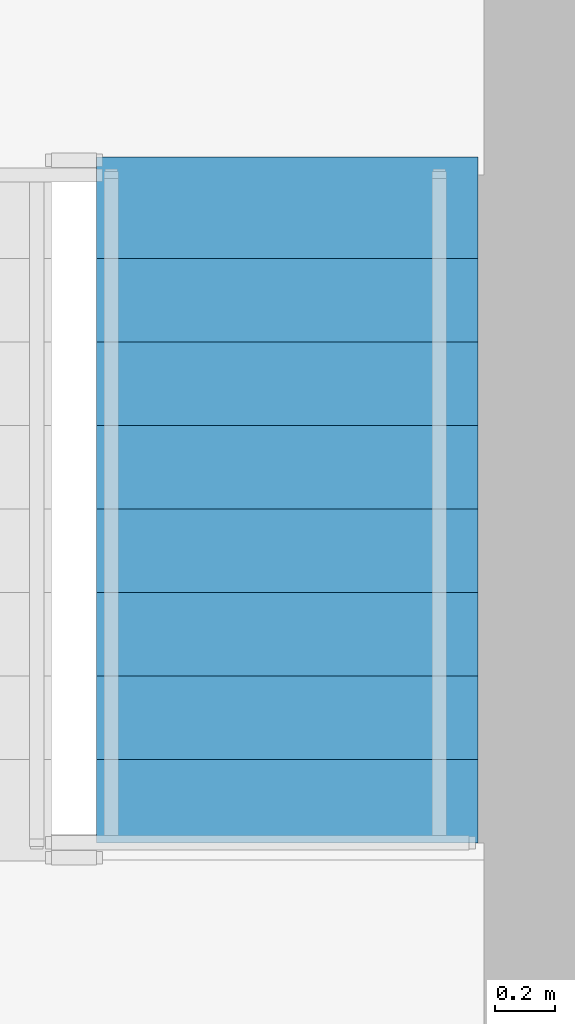
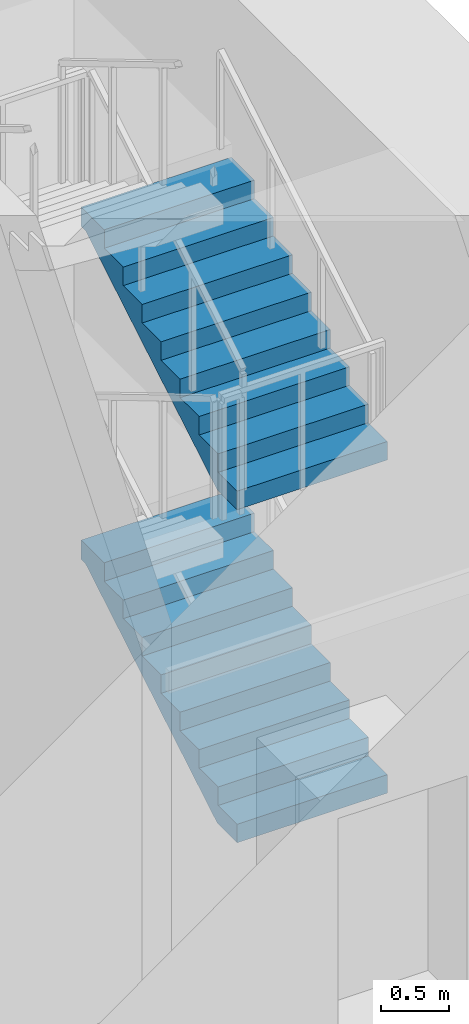
# One storey, part 13 of 19: 2 stair flights, 1 element without a shape of its own.
"""IFC4 building model written with IfcOpenShell, lengths in metres."""

import ifcopenshell
import ifcopenshell.guid

model = None  # the IFC model being written
_history = None  # IfcOwnerHistory: only IFC2X3 demands one
_inside = {}  # id of a spatial element -> (the spatial element, [elements in it])
_under = {}  # id of a project, library or spatial element -> (it, [spatial elements below it])
_declared = {}  # id of a project -> (the project, [libraries it declares])
_typed = {}  # id of a type object -> (the type object, [elements of that type])
_made_of = {}  # id of a material, layer set ... -> (it, [elements and type objects made of it])


def new_model(schema):
    """Start an empty IFC model of exactly this schema.

    Asked for "IFC4X3", IfcOpenShell would pick the latest addendum, in which some entities
    have other attributes; the version numbers below select the first issue.
    IFC2X3 requires an IfcOwnerHistory on every rooted entity: one is made here for all.
    """
    global model, _history
    if schema == "IFC4X3":
        model = ifcopenshell.file(schema_version=(4, 3, 0, 0))
    else:
        model = ifcopenshell.file(schema=schema)
    _inside.clear()
    _under.clear()
    _declared.clear()
    _typed.clear()
    _made_of.clear()
    _history = None
    if model.schema == "IFC2X3":
        org = make("IfcOrganization", Name="unknown")
        user = make(
            "IfcPersonAndOrganization",
            ThePerson=make("IfcPerson", FamilyName="unknown"),
            TheOrganization=org,
        )
        app = make(
            "IfcApplication",
            ApplicationDeveloper=org,
            Version="unknown",
            ApplicationFullName="unknown",
            ApplicationIdentifier="unknown",
        )
        _history = make(
            "IfcOwnerHistory",
            OwningUser=user,
            OwningApplication=app,
            ChangeAction="ADDED",
            CreationDate=0,
        )
    return model


def make(cls, **values):
    """One entity of the class cls with the attributes given. An attribute that is None is left unset."""
    return model.create_entity(
        cls, **{name: value for name, value in values.items() if value is not None}
    )


def rooted(cls, **values):
    """An entity with a GlobalId (a new one), such as an element, a storey or a relation."""
    return make(cls, GlobalId=ifcopenshell.guid.new(), OwnerHistory=_history, **values)


def si_unit(unit_type, name, prefix=None):
    """IfcSIUnit, for example si_unit("LENGTHUNIT", "METRE", prefix="MILLI")."""
    return make("IfcSIUnit", UnitType=unit_type, Prefix=prefix, Name=name)


def assignment(units):
    """IfcUnitAssignment: the units of a project."""
    return None if units is None else make("IfcUnitAssignment", Units=units)


def point(xyz):
    """IfcCartesianPoint."""
    return None if xyz is None else make("IfcCartesianPoint", Coordinates=xyz)


def direction(xyz):
    """IfcDirection."""
    return None if xyz is None else make("IfcDirection", DirectionRatios=xyz)


def frame(location, z_axis=None, x_axis=None):
    """IfcAxis2Placement3D, a coordinate frame: its origin and axes. An axis left out is left unset."""
    return make(
        "IfcAxis2Placement3D",
        Location=point(location),
        Axis=direction(z_axis),
        RefDirection=direction(x_axis),
    )


def origin():
    """The frame at (0, 0, 0) with its axes left unset."""
    return frame((0.0, 0.0, 0.0))


def place(relative_to, where):
    """IfcLocalPlacement: puts the frame where relative to a parent placement (None: the world)."""
    return make(
        "IfcLocalPlacement", PlacementRelTo=relative_to, RelativePlacement=where
    )


def context(
    kind, dimensions, precision=None, world=None, true_north=None, identifier=None
):
    """IfcGeometricRepresentationContext, for example the 3D "Model" context."""
    return make(
        "IfcGeometricRepresentationContext",
        ContextIdentifier=identifier,
        ContextType=kind,
        CoordinateSpaceDimension=dimensions,
        Precision=precision,
        WorldCoordinateSystem=world,
        TrueNorth=true_north,
    )


def subcontext(parent, identifier, kind, view, scale=None):
    """IfcGeometricRepresentationSubContext, for example "Body" below "Model"."""
    return make(
        "IfcGeometricRepresentationSubContext",
        ContextIdentifier=identifier,
        ContextType=kind,
        ParentContext=parent,
        TargetScale=scale,
        TargetView=view,
    )


def project(units=None, contexts=None):
    """IfcProject with its units and contexts."""
    return rooted(
        "IfcProject",
        Name="project",
        RepresentationContexts=contexts,
        UnitsInContext=assignment(units),
    )


def spatial(cls, under=None, at=None, **own):
    """A site, building, storey or space (cls), placed at a placement, below another one or the project."""
    s = rooted(cls, ObjectPlacement=at, **own)
    if under is not None:
        _under.setdefault(under.id(), (under, []))[1].append(s)
    return s


def polyline(points):
    """IfcPolyline through the points."""
    return make("IfcPolyline", Points=[point(p) for p in points])


def outline(outer, holes=None, kind="AREA"):
    """IfcArbitraryClosedProfileDef: a profile drawn as a closed curve; with holes, ...WithVoids."""
    if holes is None:
        return make("IfcArbitraryClosedProfileDef", ProfileType=kind, OuterCurve=outer)
    return make(
        "IfcArbitraryProfileDefWithVoids",
        ProfileType=kind,
        OuterCurve=outer,
        InnerCurves=holes,
    )


def extrude(swept, where, along, depth):
    """IfcExtrudedAreaSolid: the profile swept, set in the frame where, extruded along a direction by depth."""
    return make(
        "IfcExtrudedAreaSolid",
        SweptArea=swept,
        Position=where,
        ExtrudedDirection=direction(along),
        Depth=depth,
    )


def shape(context_of_items, identifier, shape_type, items):
    """IfcShapeRepresentation: the items that make up one representation, for example the "Body"."""
    return make(
        "IfcShapeRepresentation",
        ContextOfItems=context_of_items,
        RepresentationIdentifier=identifier,
        RepresentationType=shape_type,
        Items=items,
    )


def material(Name=None, Category=None):
    """IfcMaterial."""
    return make("IfcMaterial", Name=Name, Category=Category)


def made_of(thing, what):
    """Note that an element or type object is made of a material, layer set ...; save() writes the relation."""
    if what is not None:
        _made_of.setdefault(what.id(), (what, []))[1].append(thing)
    return thing


def type_object(cls, material=None, **own):
    """A type object (cls), such as IfcWallType, which elements share."""
    return made_of(rooted(cls, **own), material)


def element(
    cls,
    number,
    at=None,
    inside=None,
    cuts=None,
    type_object=None,
    material=None,
    context=None,
    identifier="Body",
    shape_type=None,
    held_by="IfcProductDefinitionShape",
    body=None,
    shapes=None,
    **own,
):
    """One element of the class cls, such as IfcWall. Its Tag is "e" and its number.

    at: its placement. inside: the storey or other place that contains it. cuts: it is an
    opening in that element (IfcRelVoidsElement). A single representation is given by context,
    identifier, shape_type and body (its items); several are given by shapes. held_by: the class
    of the entity that holds the representations. save() writes the other relations.
    """
    e = rooted(cls, Tag="e%d" % number, ObjectPlacement=at, **own)
    if body is not None:
        shapes = [shape(context, identifier, shape_type, body)]
    if shapes is not None:
        e.Representation = make(held_by, Representations=shapes)
    if inside is not None:
        _inside.setdefault(inside.id(), (inside, []))[1].append(e)
    if cuts is not None:
        rooted(
            "IfcRelVoidsElement", RelatingBuildingElement=cuts, RelatedOpeningElement=e
        )
    if type_object is not None:
        _typed.setdefault(type_object.id(), (type_object, []))[1].append(e)
    return made_of(e, material)


def aggregate(whole, parts):
    """IfcRelAggregates: a whole, such as a stair, and the parts it consists of."""
    return rooted("IfcRelAggregates", RelatingObject=whole, RelatedObjects=parts)


def save(model, path):
    """Write the relations noted so far, then the file.

    IfcRelAggregates (storeys below a building ...), IfcRelContainedInSpatialStructure (elements
    in a storey), IfcRelDefinesByType, IfcRelAssociatesMaterial and IfcRelDeclares: one each for
    every whole, place, type object, material and project.
    """
    for whole, parts in _under.values():
        aggregate(whole, parts)
    for where, things in _inside.values():
        rooted(
            "IfcRelContainedInSpatialStructure",
            RelatedElements=things,
            RelatingStructure=where,
        )
    for kind, things in _typed.values():
        rooted("IfcRelDefinesByType", RelatedObjects=things, RelatingType=kind)
    for what, things in _made_of.values():
        rooted("IfcRelAssociatesMaterial", RelatedObjects=things, RelatingMaterial=what)
    for by, libraries in _declared.values():
        rooted("IfcRelDeclares", RelatingContext=by, RelatedDefinitions=libraries)
    model.write(path)


model = new_model("IFC4")

# Units and contexts
model_context = context("Model", 3, precision=1e-05, world=origin(), true_north=direction((0.0, 1.0)))
body_context = subcontext(model_context, "Body", "Model", "MODEL_VIEW")
ifc_project = project(units=[si_unit("LENGTHUNIT", "METRE"), si_unit("AREAUNIT", "SQUARE_METRE"), si_unit("VOLUMEUNIT", "CUBIC_METRE"), si_unit("PLANEANGLEUNIT", "RADIAN"), si_unit("MASSUNIT", "GRAM", prefix="KILO")], contexts=[model_context])

# Site, building, storey
site_placement = place(None, origin())
site = spatial("IfcSite", under=ifc_project, at=site_placement, CompositionType="ELEMENT")
building_placement = place(site_placement, origin())
building = spatial("IfcBuilding", under=site, at=building_placement, Name="Sennacour Bend Tower", CompositionType="ELEMENT")
storey_placement = place(building_placement, frame((0.0, 0.0, 77.0)))
storey = spatial("IfcBuildingStorey", under=building, at=storey_placement, Name="L17", CompositionType="ELEMENT", Elevation=77.0)

# Stair, stair flights
ifc_material = material(Name="Concrete C40/50", Category="concrete")
stair_type = type_object("IfcStairType", Name="ST-DOGLEG", PredefinedType="HALF_TURN_STAIR", material=ifc_material)
stair_placement = place(storey_placement, origin())
stair = element("IfcStair", 1, at=stair_placement, inside=storey, type_object=stair_type, Name="L17 Exit stair B2", PredefinedType="HALF_TURN_STAIR")
stair_flight_type = type_object("IfcStairFlightType", Name="SFL-RC", PredefinedType="STRAIGHT", material=ifc_material)
stair_flight_1_placement = place(storey_placement, frame((20.68994140625, 38.699951171875, 0.0), z_axis=(0.0, 0.0, 1.0), x_axis=(0.0, 1.0, 0.0)))
stair_flight_1 = element("IfcStairFlight", 2, at=stair_flight_1_placement, type_object=stair_flight_type, Name="SB2 flight 1", NumberOfRisers=9, NumberOfTreads=8, PredefinedType="STRAIGHT", RiserHeight=0.166666667, TreadLength=0.28, context=body_context, shape_type="SweptSolid", body=[
    extrude(outline(polyline([(0.0, 0.0), (0.0, 0.166748046875), (0.280029296875, 0.166748046875), (0.280029296875, 0.333251953125), (0.56005859375, 0.333251953125), (0.56005859375, 0.5), (0.840087890625, 0.5), (0.840087890625, 0.666748046875), (1.1201171875, 0.666748046875), (1.1201171875, 0.833251953125), (1.39990234375, 0.833251953125), (1.39990234375, 1.0), (1.679931640625, 1.0), (1.679931640625, 1.166748046875), (1.9599609375, 1.166748046875), (1.9599609375, 1.333251953125), (2.239990234375, 1.333251953125), (2.300048828125, 1.333251953125), (2.300048828125, 1.158935546875), (2.239990234375, 1.158935546875), (0.29296875, 0.0), (0.0, 0.0)])), frame((0.0, 0.64013671875, 0.0), z_axis=(0.0, -1.0, 0.0), x_axis=(1.0, 0.0, 0.0)), (0.0, 0.0, 1.0), 1.280029296875),
])
stair_flight_2_placement = place(storey_placement, frame((20.68994140625, 38.699951171875, 3.0), z_axis=(0.0, 0.0, 1.0), x_axis=(0.0, 1.0, 0.0)))
stair_flight_2 = element("IfcStairFlight", 3, at=stair_flight_2_placement, type_object=stair_flight_type, Name="SB2 flight 3", NumberOfRisers=9, NumberOfTreads=8, PredefinedType="STRAIGHT", RiserHeight=0.166666667, TreadLength=0.28, context=body_context, shape_type="SweptSolid", body=[
    extrude(outline(polyline([(0.0, 0.0), (0.0, 0.166748046875), (0.280029296875, 0.166748046875), (0.280029296875, 0.333251953125), (0.56005859375, 0.333251953125), (0.56005859375, 0.5), (0.840087890625, 0.5), (0.840087890625, 0.666748046875), (1.1201171875, 0.666748046875), (1.1201171875, 0.833251953125), (1.39990234375, 0.833251953125), (1.39990234375, 1.0), (1.679931640625, 1.0), (1.679931640625, 1.166748046875), (1.9599609375, 1.166748046875), (1.9599609375, 1.333251953125), (2.239990234375, 1.333251953125), (2.300048828125, 1.333251953125), (2.300048828125, 1.158935546875), (2.239990234375, 1.158935546875), (0.29296875, 0.0), (0.0, 0.0)])), frame((0.0, 0.64013671875, 0.0), z_axis=(0.0, -1.0, 0.0), x_axis=(1.0, 0.0, 0.0)), (0.0, 0.0, 1.0), 1.280029296875),
])
aggregate(stair, [stair_flight_1, stair_flight_2])

save(model, "model.ifc")
